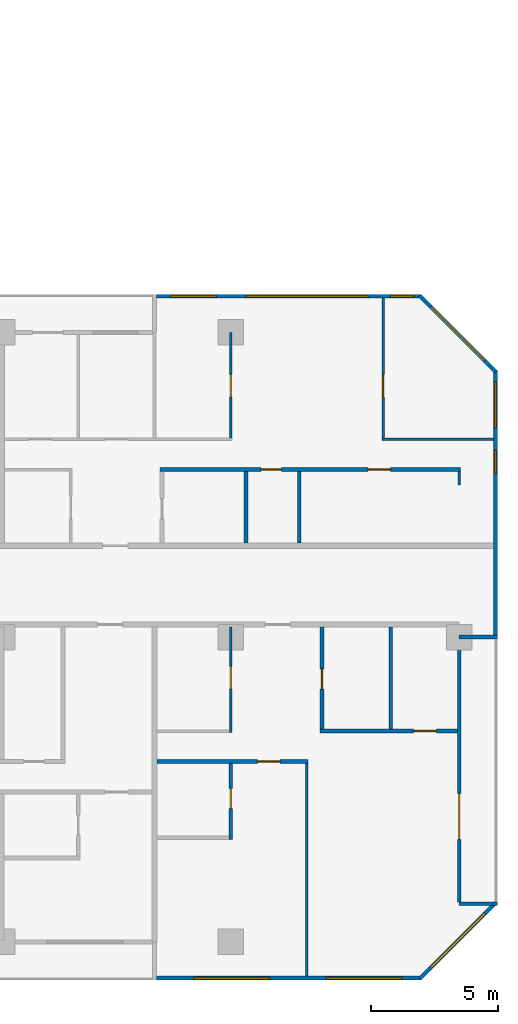
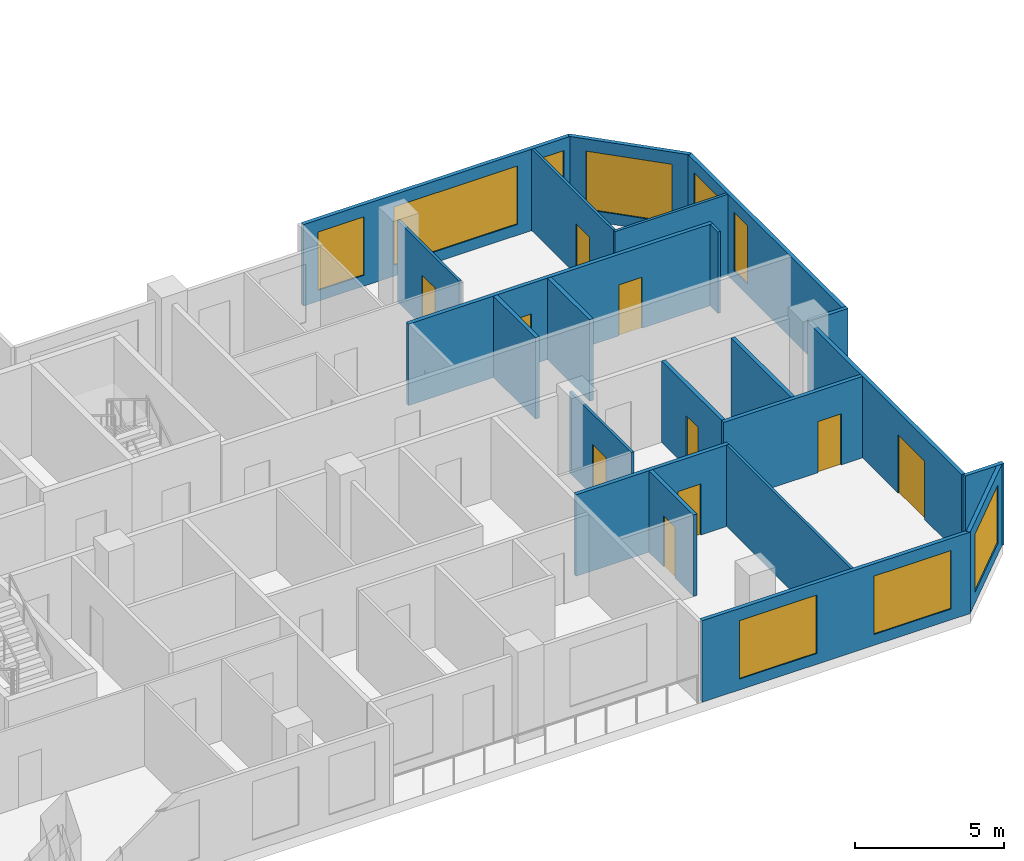
# One storey, part 11 of 14: 22 walls, 10 doors, 9 windows, 19 openings.
"""IFC4 building model written with IfcOpenShell, lengths in metres."""

from ifc_helpers import new_model, si_unit, direction, frame, frame_2d, origin, place, context, subcontext, project, spatial, rectangle, extrude, material, layer, layer_set, type_object, element, fill, save


model = new_model("IFC4")

# Units and contexts
model_context = context("Model", 3, precision=1e-05, world=origin(), true_north=direction((0.0, 1.0)))
body_context = subcontext(model_context, "Body", "Model", "MODEL_VIEW")
ifc_project = project(units=[si_unit("LENGTHUNIT", "METRE"), si_unit("AREAUNIT", "SQUARE_METRE"), si_unit("VOLUMEUNIT", "CUBIC_METRE"), si_unit("PLANEANGLEUNIT", "RADIAN"), si_unit("MASSUNIT", "GRAM", prefix="KILO")], contexts=[model_context])

# Site, building, storey
site_placement = place(None, origin())
site = spatial("IfcSite", under=ifc_project, at=site_placement, CompositionType="ELEMENT")
building_placement = place(site_placement, origin())
building = spatial("IfcBuilding", under=site, at=building_placement, Name="Chenar Terraces", CompositionType="ELEMENT")
storey_placement = place(building_placement, frame((0.0, 0.0, 110.64990234375)))
storey = spatial("IfcBuildingStorey", under=building, at=storey_placement, Name="L25", CompositionType="ELEMENT", Elevation=110.64990234375)

# Wall, openings, windows
ifc_material_1 = material(Name="Aluminium framed glazing", Category="aluminium")
ifc_layer_1 = layer(ifc_material_1, 0.14990234375)
ifc_layer_set_1 = layer_set([ifc_layer_1], Name="Aluminium framed glazing")
wall_type_1 = type_object("IfcWallType", Name="Glazed flush facade wall 150", PredefinedType="SOLIDWALL", material=ifc_layer_set_1)
wall_1_placement = place(storey_placement, frame((70.5, 25.425048828125, 0.0), z_axis=(0.0, 0.0, 1.0), x_axis=(-1.0, 0.0, 0.0)))
wall_1 = element("IfcWall", 1, at=wall_1_placement, inside=storey, type_object=wall_type_1, Name="Glazed flush facade wall", PredefinedType="SOLIDWALL", context=body_context, shape_type="SweptSolid", body=[
    extrude(rectangle(XDim=10.425048828125, YDim=0.14990234375, at=frame_2d((5.21240234375, 0.0))), origin(), (0.0, 0.0, 1.0), 3.35009765625),
])
opening_1_placement = place(wall_1_placement, frame((0.300048828125, 0.0, 0.449951171875)))
opening_1 = element("IfcOpeningElement", 2, at=opening_1_placement, cuts=wall_1, Name="Opening W90x240", PredefinedType="OPENING", context=body_context, shape_type="SweptSolid", body=[
    extrude(rectangle(XDim=0.89990234375, YDim=2.39990234375, at=frame_2d((0.449951171875, 1.199951171875))), frame((0.0, 0.0849609375, 0.0), z_axis=(0.0, -1.0, 0.0), x_axis=(1.0, 0.0, 0.0)), (0.0, 0.0, 1.0), 0.169921875),
])
opening_2_placement = place(wall_1_placement, frame((2.10009765625, 0.0, 0.449951171875)))
opening_2 = element("IfcOpeningElement", 3, at=opening_2_placement, cuts=wall_1, Name="Opening W480x240", PredefinedType="OPENING", context=body_context, shape_type="SweptSolid", body=[
    extrude(rectangle(XDim=4.800048828125, YDim=2.39990234375, at=frame_2d((2.39990234375, 1.199951171875))), frame((0.0, 0.0849609375, 0.0), z_axis=(0.0, -1.0, 0.0), x_axis=(1.0, 0.0, 0.0)), (0.0, 0.0, 1.0), 0.169921875),
])
opening_3_placement = place(wall_1_placement, frame((8.0625, 0.0, 0.449951171875)))
opening_3 = element("IfcOpeningElement", 4, at=opening_3_placement, cuts=wall_1, Name="Opening W180x240", PredefinedType="OPENING", context=body_context, shape_type="SweptSolid", body=[
    extrude(rectangle(XDim=1.800048828125, YDim=2.39990234375, at=frame_2d((0.89990234375, 1.199951171875))), frame((0.0, 0.0849609375, 0.0), z_axis=(0.0, -1.0, 0.0), x_axis=(1.0, 0.0, 0.0)), (0.0, 0.0, 1.0), 0.169921875),
])
ifc_material_2 = material(Name="Low emissivity double glazing, aluminium frame", Category="aluminium")
window_type_1 = type_object("IfcWindowType", Name="Fixed light 1800 x 2400", PartitioningType="SINGLE_PANEL", PredefinedType="WINDOW", material=ifc_material_2)
window_1_placement = place(opening_3_placement, origin())
window_1 = element("IfcWindow", 5, at=window_1_placement, inside=storey, type_object=window_type_1, Name="Window", OverallHeight=2.39990234375, OverallWidth=1.800048828125, PartitioningType="SINGLE_PANEL", PredefinedType="WINDOW", context=body_context, shape_type="SweptSolid", body=[
    extrude(rectangle(XDim=1.800048828125, YDim=2.39990234375, at=frame_2d((0.89990234375, 1.199951171875))), frame((0.0, 0.030029296875, 0.0), z_axis=(0.0, -1.0, 0.0), x_axis=(1.0, 0.0, 0.0)), (0.0, 0.0, 1.0), 0.06005859375),
])
fill(opening_3, window_1)
ifc_material_3 = material(Name="Low emissivity double glazing, aluminium frame", Category="aluminium")
window_type_2 = type_object("IfcWindowType", Name="Fixed light 4800 x 2400", PartitioningType="SINGLE_PANEL", PredefinedType="WINDOW", material=ifc_material_3)
window_2_placement = place(opening_2_placement, origin())
window_2 = element("IfcWindow", 6, at=window_2_placement, inside=storey, type_object=window_type_2, Name="Window", OverallHeight=2.39990234375, OverallWidth=4.800048828125, PartitioningType="SINGLE_PANEL", PredefinedType="WINDOW", context=body_context, shape_type="SweptSolid", body=[
    extrude(rectangle(XDim=4.800048828125, YDim=2.39990234375, at=frame_2d((2.39990234375, 1.199951171875))), frame((0.0, 0.030029296875, 0.0), z_axis=(0.0, -1.0, 0.0), x_axis=(1.0, 0.0, 0.0)), (0.0, 0.0, 1.0), 0.06005859375),
])
fill(opening_2, window_2)
ifc_material_4 = material(Name="Low emissivity double glazing, aluminium frame", Category="aluminium")
window_type_3 = type_object("IfcWindowType", Name="Fixed light 900 x 2400", PartitioningType="SINGLE_PANEL", PredefinedType="WINDOW", material=ifc_material_4)
window_3_placement = place(opening_1_placement, origin())
window_3 = element("IfcWindow", 7, at=window_3_placement, inside=storey, type_object=window_type_3, Name="Window", OverallHeight=2.39990234375, OverallWidth=0.89990234375, PartitioningType="SINGLE_PANEL", PredefinedType="WINDOW", context=body_context, shape_type="SweptSolid", body=[
    extrude(rectangle(XDim=0.89990234375, YDim=2.39990234375, at=frame_2d((0.449951171875, 1.199951171875))), frame((0.0, 0.030029296875, 0.0), z_axis=(0.0, -1.0, 0.0), x_axis=(1.0, 0.0, 0.0)), (0.0, 0.0, 1.0), 0.06005859375),
])
fill(opening_1, window_3)

wall_2_placement = place(storey_placement, frame((60.074951171875, -1.425048828125, 0.0), z_axis=(0.0, 0.0, 1.0), x_axis=(1.0, 0.0, 0.0)))
wall_2 = element("IfcWall", 8, at=wall_2_placement, inside=storey, type_object=wall_type_1, Name="Glazed flush facade wall", PredefinedType="SOLIDWALL", context=body_context, shape_type="SweptSolid", body=[
    extrude(rectangle(XDim=10.425048828125, YDim=0.14990234375, at=frame_2d((5.21240234375, 0.0))), origin(), (0.0, 0.0, 1.0), 3.35009765625),
])
opening_4_placement = place(wall_2_placement, frame((1.46240234375, 0.0, 0.449951171875)))
opening_4 = element("IfcOpeningElement", 9, at=opening_4_placement, cuts=wall_2, Name="Opening W300x240", PredefinedType="OPENING", context=body_context, shape_type="SweptSolid", body=[
    extrude(rectangle(XDim=3.0, YDim=2.39990234375, at=frame_2d((1.5, 1.199951171875))), frame((0.0, 0.0849609375, 0.0), z_axis=(0.0, -1.0, 0.0), x_axis=(1.0, 0.0, 0.0)), (0.0, 0.0, 1.0), 0.169921875),
])
opening_5_placement = place(wall_2_placement, frame((6.675048828125, 0.0, 0.449951171875)))
opening_5 = element("IfcOpeningElement", 10, at=opening_5_placement, cuts=wall_2, Name="Opening W300x240", PredefinedType="OPENING", context=body_context, shape_type="SweptSolid", body=[
    extrude(rectangle(XDim=3.0, YDim=2.39990234375, at=frame_2d((1.5, 1.199951171875))), frame((0.0, 0.0849609375, 0.0), z_axis=(0.0, -1.0, 0.0), x_axis=(1.0, 0.0, 0.0)), (0.0, 0.0, 1.0), 0.169921875),
])
ifc_material_5 = material(Name="Low emissivity double glazing, aluminium frame", Category="aluminium")
window_type_4 = type_object("IfcWindowType", Name="Fixed light 3000 x 2400", PartitioningType="SINGLE_PANEL", PredefinedType="WINDOW", material=ifc_material_5)
window_4_placement = place(opening_4_placement, origin())
window_4 = element("IfcWindow", 11, at=window_4_placement, inside=storey, type_object=window_type_4, Name="Window", OverallHeight=2.39990234375, OverallWidth=3.0, PartitioningType="SINGLE_PANEL", PredefinedType="WINDOW", context=body_context, shape_type="SweptSolid", body=[
    extrude(rectangle(XDim=3.0, YDim=2.39990234375, at=frame_2d((1.5, 1.199951171875))), frame((0.0, 0.030029296875, 0.0), z_axis=(0.0, -1.0, 0.0), x_axis=(1.0, 0.0, 0.0)), (0.0, 0.0, 1.0), 0.06005859375),
])
fill(opening_4, window_4)
window_5_placement = place(opening_5_placement, origin())
window_5 = element("IfcWindow", 12, at=window_5_placement, inside=storey, type_object=window_type_4, Name="Window", OverallHeight=2.39990234375, OverallWidth=3.0, PartitioningType="SINGLE_PANEL", PredefinedType="WINDOW", context=body_context, shape_type="SweptSolid", body=[
    extrude(rectangle(XDim=3.0, YDim=2.39990234375, at=frame_2d((1.5, 1.199951171875))), frame((0.0, 0.030029296875, 0.0), z_axis=(0.0, -1.0, 0.0), x_axis=(1.0, 0.0, 0.0)), (0.0, 0.0, 1.0), 0.06005859375),
])
fill(opening_5, window_5)

wall_3_placement = place(storey_placement, frame((73.425048828125, 12.074951171875, 0.0), z_axis=(0.0, 0.0, 1.0), x_axis=(0.0, 1.0, 0.0)))
wall_3 = element("IfcWall", 13, at=wall_3_placement, inside=storey, type_object=wall_type_1, Name="Glazed flush facade wall", PredefinedType="SOLIDWALL", context=body_context, shape_type="SweptSolid", body=[
    extrude(rectangle(XDim=10.425048828125, YDim=0.14990234375, at=frame_2d((5.21240234375, 0.0))), origin(), (0.0, 0.0, 1.0), 3.35009765625),
])
opening_6_placement = place(wall_3_placement, frame((6.375, 0.0, 0.449951171875)))
opening_6 = element("IfcOpeningElement", 14, at=opening_6_placement, cuts=wall_3, Name="Opening W90x240", PredefinedType="OPENING", context=body_context, shape_type="SweptSolid", body=[
    extrude(rectangle(XDim=0.89990234375, YDim=2.39990234375, at=frame_2d((0.449951171875, 1.199951171875))), frame((0.0, 0.0849609375, 0.0), z_axis=(0.0, -1.0, 0.0), x_axis=(1.0, 0.0, 0.0)), (0.0, 0.0, 1.0), 0.169921875),
])
opening_7_placement = place(wall_3_placement, frame((8.175048828125, 0.0, 0.449951171875)))
opening_7 = element("IfcOpeningElement", 15, at=opening_7_placement, cuts=wall_3, Name="Opening W180x240", PredefinedType="OPENING", context=body_context, shape_type="SweptSolid", body=[
    extrude(rectangle(XDim=1.800048828125, YDim=2.39990234375, at=frame_2d((0.89990234375, 1.199951171875))), frame((0.0, 0.0849609375, 0.0), z_axis=(0.0, -1.0, 0.0), x_axis=(1.0, 0.0, 0.0)), (0.0, 0.0, 1.0), 0.169921875),
])
window_6_placement = place(opening_7_placement, origin())
window_6 = element("IfcWindow", 16, at=window_6_placement, inside=storey, type_object=window_type_1, Name="Window", OverallHeight=2.39990234375, OverallWidth=1.800048828125, PartitioningType="SINGLE_PANEL", PredefinedType="WINDOW", context=body_context, shape_type="SweptSolid", body=[
    extrude(rectangle(XDim=1.800048828125, YDim=2.39990234375, at=frame_2d((0.89990234375, 1.199951171875))), frame((0.0, 0.030029296875, 0.0), z_axis=(0.0, -1.0, 0.0), x_axis=(1.0, 0.0, 0.0)), (0.0, 0.0, 1.0), 0.06005859375),
])
fill(opening_7, window_6)
window_7_placement = place(opening_6_placement, origin())
window_7 = element("IfcWindow", 17, at=window_7_placement, inside=storey, type_object=window_type_3, Name="Window", OverallHeight=2.39990234375, OverallWidth=0.89990234375, PartitioningType="SINGLE_PANEL", PredefinedType="WINDOW", context=body_context, shape_type="SweptSolid", body=[
    extrude(rectangle(XDim=0.89990234375, YDim=2.39990234375, at=frame_2d((0.449951171875, 1.199951171875))), frame((0.0, 0.030029296875, 0.0), z_axis=(0.0, -1.0, 0.0), x_axis=(1.0, 0.0, 0.0)), (0.0, 0.0, 1.0), 0.06005859375),
])
fill(opening_6, window_7)

# Wall, opening, door
ifc_material_6 = material(Name="Aluminium framed glazing", Category="aluminium")
ifc_layer_2 = layer(ifc_material_6, 0.14990234375)
ifc_layer_set_2 = layer_set([ifc_layer_2], Name="Aluminium framed glazing")
wall_type_2 = type_object("IfcWallType", Name="Glazed loggia back wall 150", PredefinedType="SOLIDWALL", material=ifc_layer_set_2)
wall_4_placement = place(storey_placement, frame((72.0, 1.574951171875, 0.0), z_axis=(0.0, 0.0, 1.0), x_axis=(0.0, 1.0, 0.0)))
wall_4 = element("IfcWall", 18, at=wall_4_placement, inside=storey, type_object=wall_type_2, Name="Glazed loggia back wall", PredefinedType="SOLIDWALL", context=body_context, shape_type="SweptSolid", body=[
    extrude(rectangle(XDim=10.35009765625, YDim=0.14990234375, at=frame_2d((5.175048828125, 0.0))), origin(), (0.0, 0.0, 1.0), 3.35009765625),
])
opening_8_placement = place(wall_4_placement, frame((2.46240234375, 0.0, 0.0)))
opening_8 = element("IfcOpeningElement", 19, at=opening_8_placement, cuts=wall_4, Name="Opening DL25-G8", PredefinedType="OPENING", context=body_context, shape_type="SweptSolid", body=[
    extrude(rectangle(XDim=1.800048828125, YDim=2.39990234375, at=frame_2d((0.89990234375, 1.199951171875))), frame((0.0, 0.0849609375, 0.0), z_axis=(0.0, -1.0, 0.0), x_axis=(1.0, 0.0, 0.0)), (0.0, 0.0, 1.0), 0.169921875),
])
ifc_material_7 = material(Name="Low emissivity double glazing, aluminium frame", Category="aluminium")
door_type_1 = type_object("IfcDoorType", Name="Loggia glazed double door 1800 x 2400", OperationType="DOUBLE_DOOR_SINGLE_SWING", PredefinedType="DOOR", material=ifc_material_7)
door_1_placement = place(opening_8_placement, frame((1.800048828125, 0.0, 0.0), z_axis=(0.0, 0.0, 1.0), x_axis=(-1.0, 0.0, 0.0)))
door_1 = element("IfcDoor", 20, at=door_1_placement, inside=storey, type_object=door_type_1, Name="Loggia glazed door", OperationType="DOUBLE_DOOR_SINGLE_SWING", OverallHeight=2.39990234375, OverallWidth=1.800048828125, PredefinedType="DOOR", context=body_context, shape_type="SweptSolid", body=[
    extrude(rectangle(XDim=1.800048828125, YDim=2.39990234375, at=frame_2d((0.89990234375, 1.199951171875))), frame((0.0, 0.02490234375, 0.0), z_axis=(0.0, -1.0, 0.0), x_axis=(1.0, 0.0, 0.0)), (0.0, 0.0, 1.0), 0.050048828125),
])
fill(opening_8, door_1)

ifc_material_8 = material(Name="Gypsum board on steel studs", Category="steel")
ifc_layer_3 = layer(ifc_material_8, 0.10009765625)
ifc_layer_set_3 = layer_set([ifc_layer_3], Name="Gypsum board on steel studs")
wall_type_3 = type_object("IfcWallType", Name="Gypsum partition 100", PredefinedType="PARTITIONING", material=ifc_layer_set_3)
wall_5_placement = place(storey_placement, frame((63.0, 8.25, 0.0), z_axis=(0.0, 0.0, 1.0), x_axis=(0.0, 1.0, 0.0)))
wall_5 = element("IfcWall", 21, at=wall_5_placement, inside=storey, type_object=wall_type_3, Name="Partition L25-095", PredefinedType="PARTITIONING", context=body_context, shape_type="SweptSolid", body=[
    extrude(rectangle(XDim=4.14990234375, YDim=0.10009765625, at=frame_2d((2.074951171875, 0.0))), origin(), (0.0, 0.0, 1.0), 3.35009765625),
])
opening_9_placement = place(wall_5_placement, frame((1.699951171875, 0.0, 0.0)))
opening_9 = element("IfcOpeningElement", 22, at=opening_9_placement, cuts=wall_5, Name="Opening DL25-23", PredefinedType="OPENING", context=body_context, shape_type="SweptSolid", body=[
    extrude(rectangle(XDim=0.89990234375, YDim=2.10009765625, at=frame_2d((0.449951171875, 1.050048828125))), frame((0.0, 0.06005859375, 0.0), z_axis=(0.0, -1.0, 0.0), x_axis=(1.0, 0.0, 0.0)), (0.0, 0.0, 1.0), 0.1201171875),
])
ifc_material_9 = material(Name="Veneered timber door leaf", Category="wood")
door_type_2 = type_object("IfcDoorType", Name="Door 900 x 2100", OperationType="SINGLE_SWING_LEFT", PredefinedType="DOOR", material=ifc_material_9)
door_2_placement = place(opening_9_placement, origin())
door_2 = element("IfcDoor", 23, at=door_2_placement, inside=storey, type_object=door_type_2, Name="Door DL25-23", OperationType="SINGLE_SWING_RIGHT", OverallHeight=2.10009765625, OverallWidth=0.89990234375, PredefinedType="DOOR", context=body_context, shape_type="SweptSolid", body=[
    extrude(rectangle(XDim=0.89990234375, YDim=2.10009765625, at=frame_2d((0.449951171875, 1.050048828125))), frame((0.0, 0.02490234375, 0.0), z_axis=(0.0, -1.0, 0.0), x_axis=(1.0, 0.0, 0.0)), (0.0, 0.0, 1.0), 0.050048828125),
])
fill(opening_9, door_2)

wall_6_placement = place(storey_placement, frame((63.0, 19.85009765625, 0.0), z_axis=(0.0, 0.0, 1.0), x_axis=(0.0, 1.0, 0.0)))
wall_6 = element("IfcWall", 24, at=wall_6_placement, inside=storey, type_object=wall_type_3, Name="Partition L25-096", PredefinedType="PARTITIONING", context=body_context, shape_type="SweptSolid", body=[
    extrude(rectangle(XDim=4.14990234375, YDim=0.10009765625, at=frame_2d((2.074951171875, 0.0))), origin(), (0.0, 0.0, 1.0), 3.35009765625),
])
opening_10_placement = place(wall_6_placement, frame((1.60009765625, 0.0, 0.0)))
opening_10 = element("IfcOpeningElement", 25, at=opening_10_placement, cuts=wall_6, Name="Opening DL25-7", PredefinedType="OPENING", context=body_context, shape_type="SweptSolid", body=[
    extrude(rectangle(XDim=0.89990234375, YDim=2.10009765625, at=frame_2d((0.449951171875, 1.050048828125))), frame((0.0, 0.06005859375, 0.0), z_axis=(0.0, -1.0, 0.0), x_axis=(1.0, 0.0, 0.0)), (0.0, 0.0, 1.0), 0.1201171875),
])
door_3_placement = place(opening_10_placement, origin())
door_3 = element("IfcDoor", 26, at=door_3_placement, inside=storey, type_object=door_type_2, Name="Door DL25-7", OperationType="SINGLE_SWING_RIGHT", OverallHeight=2.10009765625, OverallWidth=0.89990234375, PredefinedType="DOOR", context=body_context, shape_type="SweptSolid", body=[
    extrude(rectangle(XDim=0.89990234375, YDim=2.10009765625, at=frame_2d((0.449951171875, 1.050048828125))), frame((0.0, 0.02490234375, 0.0), z_axis=(0.0, -1.0, 0.0), x_axis=(1.0, 0.0, 0.0)), (0.0, 0.0, 1.0), 0.050048828125),
])
fill(opening_10, door_3)

# Walls
wall_7_placement = place(storey_placement, frame((66.0, -1.35009765625, 0.0), z_axis=(0.0, 0.0, 1.0), x_axis=(0.0, 1.0, 0.0)))
element("IfcWall", 27, at=wall_7_placement, inside=storey, type_object=wall_type_3, Name="Partition L25-099", PredefinedType="PARTITIONING", context=body_context, shape_type="SweptSolid", body=[
    extrude(rectangle(XDim=8.375, YDim=0.10009765625, at=frame_2d((4.1875, 0.0))), origin(), (0.0, 0.0, 1.0), 3.35009765625),
])
wall_8_placement = place(storey_placement, frame((68.949951171875, 19.800048828125, 0.0), z_axis=(0.0, 0.0, 1.0), x_axis=(1.0, 0.0, 0.0)))
element("IfcWall", 28, at=wall_8_placement, inside=storey, type_object=wall_type_3, Name="Partition L25-102", PredefinedType="PARTITIONING", context=body_context, shape_type="SweptSolid", body=[
    extrude(rectangle(XDim=4.401123046875, YDim=0.10009765625, at=frame_2d((2.20068359375, 0.0))), origin(), (0.0, 0.0, 1.0), 3.35009765625),
])

# Wall, opening, door
wall_9_placement = place(storey_placement, frame((69.0, 19.85009765625, 0.0), z_axis=(0.0, 0.0, 1.0), x_axis=(0.0, 1.0, 0.0)))
wall_9 = element("IfcWall", 29, at=wall_9_placement, inside=storey, type_object=wall_type_3, Name="Partition L25-103", PredefinedType="PARTITIONING", context=body_context, shape_type="SweptSolid", body=[
    extrude(rectangle(XDim=5.5, YDim=0.10009765625, at=frame_2d((2.75, 0.0))), origin(), (0.0, 0.0, 1.0), 3.35009765625),
])
opening_11_placement = place(wall_9_placement, frame((1.60009765625, 0.0, 0.0)))
opening_11 = element("IfcOpeningElement", 30, at=opening_11_placement, cuts=wall_9, Name="Opening DL25-8", PredefinedType="OPENING", context=body_context, shape_type="SweptSolid", body=[
    extrude(rectangle(XDim=0.89990234375, YDim=2.10009765625, at=frame_2d((0.449951171875, 1.050048828125))), frame((0.0, 0.06005859375, 0.0), z_axis=(0.0, -1.0, 0.0), x_axis=(1.0, 0.0, 0.0)), (0.0, 0.0, 1.0), 0.1201171875),
])
door_4_placement = place(opening_11_placement, frame((0.89990234375, 0.0, 0.0), z_axis=(0.0, 0.0, 1.0), x_axis=(-1.0, 0.0, 0.0)))
door_4 = element("IfcDoor", 31, at=door_4_placement, inside=storey, type_object=door_type_2, Name="Door DL25-8", OperationType="SINGLE_SWING_LEFT", OverallHeight=2.10009765625, OverallWidth=0.89990234375, PredefinedType="DOOR", context=body_context, shape_type="SweptSolid", body=[
    extrude(rectangle(XDim=0.89990234375, YDim=2.10009765625, at=frame_2d((0.449951171875, 1.050048828125))), frame((0.0, 0.02490234375, 0.0), z_axis=(0.0, -1.0, 0.0), x_axis=(1.0, 0.0, 0.0)), (0.0, 0.0, 1.0), 0.050048828125),
])
fill(opening_11, door_4)

# Walls
wall_10_placement = place(storey_placement, frame((72.0, 18.0, 0.0), z_axis=(0.0, 0.0, 1.0), x_axis=(0.0, 1.0, 0.0)))
element("IfcWall", 32, at=wall_10_placement, inside=storey, type_object=wall_type_3, Name="Partition L25-105", PredefinedType="PARTITIONING", context=body_context, shape_type="SweptSolid", body=[
    extrude(rectangle(XDim=0.52490234375, YDim=0.10009765625, at=frame_2d((0.262451171875, 0.0))), origin(), (0.0, 0.0, 1.0), 3.35009765625),
])
ifc_material_10 = material(Name="Terracotta cladding on insulated backing", Category="masonry")
ifc_layer_4 = layer(ifc_material_10, 0.14990234375)
ifc_layer_set_4 = layer_set([ifc_layer_4], Name="Terracotta cladding on insulated backing")
wall_type_4 = type_object("IfcWallType", Name="Loggia return wall 150", PredefinedType="SOLIDWALL", material=ifc_layer_set_4)
for number, where, z_axis, x_axis, name in (
    (33, (73.5, 1.5, 0.0), (0.0, 0.0, 1.0), (-1.0, 0.0, 0.0), "Loggia return wall"),
    (34, (73.5, 12.0, 0.0), (0.0, 0.0, 1.0), (-1.0, 0.0, 0.0), "Loggia return wall"),
):
    element("IfcWall", number, at=place(storey_placement, frame(where, z_axis=z_axis, x_axis=x_axis)), inside=storey, type_object=wall_type_4, Name=name, PredefinedType="SOLIDWALL", context=body_context, shape_type="SweptSolid", body=[
        extrude(rectangle(XDim=1.5, YDim=0.14990234375, at=frame_2d((0.75, 0.0))), origin(), (0.0, 0.0, 1.0), 3.35009765625),
    ])

# Wall, opening, window
ifc_material_11 = material(Name="Terracotta cladding on insulated backing", Category="masonry")
ifc_layer_5 = layer(ifc_material_11, 0.14990234375)
ifc_layer_set_5 = layer_set([ifc_layer_5], Name="Terracotta cladding on insulated backing")
wall_type_5 = type_object("IfcWallType", Name="Terracotta rainscreen wall 150", PredefinedType="SOLIDWALL", material=ifc_layer_set_5)
wall_11_placement = place(storey_placement, frame((70.447021484375, -1.447021484375, 0.0), z_axis=(0.0, 0.0, 1.0), x_axis=(0.707106781187, 0.707106781187, 0.0)))
wall_11 = element("IfcWall", 35, at=wall_11_placement, inside=storey, type_object=wall_type_5, Name="Terracotta rainscreen wall", PredefinedType="SOLIDWALL", context=body_context, shape_type="SweptSolid", body=[
    extrude(rectangle(XDim=4.24267578125, YDim=0.14990234375, at=frame_2d((2.121337890625, 0.0))), origin(), (0.0, 0.0, 1.0), 3.35009765625),
])
opening_12_placement = place(wall_11_placement, frame((0.621337890625, 0.0, 0.449951171875)))
opening_12 = element("IfcOpeningElement", 36, at=opening_12_placement, cuts=wall_11, Name="Opening W300x240", PredefinedType="OPENING", context=body_context, shape_type="SweptSolid", body=[
    extrude(rectangle(XDim=3.0, YDim=2.39990234375, at=frame_2d((1.5, 1.199951171875))), frame((0.0, 0.0849609375, 0.0), z_axis=(0.0, -1.0, 0.0), x_axis=(1.0, 0.0, 0.0)), (0.0, 0.0, 1.0), 0.169921875),
])
window_8_placement = place(opening_12_placement, origin())
window_8 = element("IfcWindow", 37, at=window_8_placement, inside=storey, type_object=window_type_4, Name="Window", OverallHeight=2.39990234375, OverallWidth=3.0, PartitioningType="SINGLE_PANEL", PredefinedType="WINDOW", context=body_context, shape_type="SweptSolid", body=[
    extrude(rectangle(XDim=3.0, YDim=2.39990234375, at=frame_2d((1.5, 1.199951171875))), frame((0.0, 0.030029296875, 0.0), z_axis=(0.0, -1.0, 0.0), x_axis=(1.0, 0.0, 0.0)), (0.0, 0.0, 1.0), 0.06005859375),
])
fill(opening_12, window_8)

wall_12_placement = place(storey_placement, frame((73.447021484375, 22.447021484375, 0.0), z_axis=(0.0, 0.0, 1.0), x_axis=(-0.707106781187, 0.707106781187, 0.0)))
wall_12 = element("IfcWall", 38, at=wall_12_placement, inside=storey, type_object=wall_type_5, Name="Terracotta rainscreen wall", PredefinedType="SOLIDWALL", context=body_context, shape_type="SweptSolid", body=[
    extrude(rectangle(XDim=4.24267578125, YDim=0.14990234375, at=frame_2d((2.121337890625, 0.0))), origin(), (0.0, 0.0, 1.0), 3.35009765625),
])
opening_13_placement = place(wall_12_placement, frame((0.621337890625, 0.0, 0.449951171875)))
opening_13 = element("IfcOpeningElement", 39, at=opening_13_placement, cuts=wall_12, Name="Opening W300x240", PredefinedType="OPENING", context=body_context, shape_type="SweptSolid", body=[
    extrude(rectangle(XDim=3.0, YDim=2.39990234375, at=frame_2d((1.5, 1.199951171875))), frame((0.0, 0.0849609375, 0.0), z_axis=(0.0, -1.0, 0.0), x_axis=(1.0, 0.0, 0.0)), (0.0, 0.0, 1.0), 0.169921875),
])
window_9_placement = place(opening_13_placement, origin())
window_9 = element("IfcWindow", 40, at=window_9_placement, inside=storey, type_object=window_type_4, Name="Window", OverallHeight=2.39990234375, OverallWidth=3.0, PartitioningType="SINGLE_PANEL", PredefinedType="WINDOW", context=body_context, shape_type="SweptSolid", body=[
    extrude(rectangle(XDim=3.0, YDim=2.39990234375, at=frame_2d((1.5, 1.199951171875))), frame((0.0, 0.030029296875, 0.0), z_axis=(0.0, -1.0, 0.0), x_axis=(1.0, 0.0, 0.0)), (0.0, 0.0, 1.0), 0.06005859375),
])
fill(opening_13, window_9)

# Wall, opening, door
ifc_material_12 = material(Name="Moisture-resistant gypsum board on steel studs", Category="steel")
ifc_layer_6 = layer(ifc_material_12, 0.14990234375)
ifc_layer_set_6 = layer_set([ifc_layer_6], Name="Moisture-resistant gypsum board on steel studs")
wall_type_6 = type_object("IfcWallType", Name="Wet-room partition 150", PredefinedType="PARTITIONING", material=ifc_layer_set_6)
wall_13_placement = place(storey_placement, frame((60.10009765625, 7.10009765625, 0.0), z_axis=(0.0, 0.0, 1.0), x_axis=(1.0, 0.0, 0.0)))
wall_13 = element("IfcWall", 41, at=wall_13_placement, inside=storey, type_object=wall_type_6, Name="Partition L25-090", PredefinedType="PARTITIONING", context=body_context, shape_type="SweptSolid", body=[
    extrude(rectangle(XDim=5.949951171875, YDim=0.14990234375, at=frame_2d((2.97509765625, 0.0))), origin(), (0.0, 0.0, 1.0), 3.35009765625),
])
opening_14_placement = place(wall_13_placement, frame((3.949951171875, 0.0, 0.0)))
opening_14 = element("IfcOpeningElement", 42, at=opening_14_placement, cuts=wall_13, Name="Opening DL25-21", PredefinedType="OPENING", context=body_context, shape_type="SweptSolid", body=[
    extrude(rectangle(XDim=0.89990234375, YDim=2.10009765625, at=frame_2d((0.449951171875, 1.050048828125))), frame((0.0, 0.0849609375, 0.0), z_axis=(0.0, -1.0, 0.0), x_axis=(1.0, 0.0, 0.0)), (0.0, 0.0, 1.0), 0.169921875),
])
door_5_placement = place(opening_14_placement, frame((0.89990234375, 0.0, 0.0), z_axis=(0.0, 0.0, 1.0), x_axis=(-1.0, 0.0, 0.0)))
door_5 = element("IfcDoor", 43, at=door_5_placement, inside=storey, type_object=door_type_2, Name="Door DL25-21", OperationType="SINGLE_SWING_LEFT", OverallHeight=2.10009765625, OverallWidth=0.89990234375, PredefinedType="DOOR", context=body_context, shape_type="SweptSolid", body=[
    extrude(rectangle(XDim=0.89990234375, YDim=2.10009765625, at=frame_2d((0.449951171875, 1.050048828125))), frame((0.0, 0.02490234375, 0.0), z_axis=(0.0, -1.0, 0.0), x_axis=(1.0, 0.0, 0.0)), (0.0, 0.0, 1.0), 0.050048828125),
])
fill(opening_14, door_5)

# Wall, openings, doors
wall_14_placement = place(storey_placement, frame((60.22509765625, 18.60009765625, 0.0), z_axis=(0.0, 0.0, 1.0), x_axis=(1.0, 0.0, 0.0)))
wall_14 = element("IfcWall", 44, at=wall_14_placement, inside=storey, type_object=wall_type_6, Name="Partition L25-092", PredefinedType="PARTITIONING", context=body_context, shape_type="SweptSolid", body=[
    extrude(rectangle(XDim=11.824951171875, YDim=0.14990234375, at=frame_2d((5.91259765625, 0.0))), origin(), (0.0, 0.0, 1.0), 3.35009765625),
])
opening_15_placement = place(wall_14_placement, frame((8.175048828125, 0.0, 0.0)))
opening_15 = element("IfcOpeningElement", 45, at=opening_15_placement, cuts=wall_14, Name="Opening DL25-9", PredefinedType="OPENING", context=body_context, shape_type="SweptSolid", body=[
    extrude(rectangle(XDim=0.89990234375, YDim=2.10009765625, at=frame_2d((0.449951171875, 1.050048828125))), frame((0.0, 0.0849609375, 0.0), z_axis=(0.0, -1.0, 0.0), x_axis=(1.0, 0.0, 0.0)), (0.0, 0.0, 1.0), 0.169921875),
])
opening_16_placement = place(wall_14_placement, frame((3.97509765625, 0.0, 0.0)))
opening_16 = element("IfcOpeningElement", 46, at=opening_16_placement, cuts=wall_14, Name="Opening DL25-12", PredefinedType="OPENING", context=body_context, shape_type="SweptSolid", body=[
    extrude(rectangle(XDim=0.800048828125, YDim=2.10009765625, at=frame_2d((0.39990234375, 1.050048828125))), frame((0.0, 0.0849609375, 0.0), z_axis=(0.0, -1.0, 0.0), x_axis=(1.0, 0.0, 0.0)), (0.0, 0.0, 1.0), 0.169921875),
])
ifc_material_13 = material(Name="Veneered timber door leaf", Category="wood")
door_type_3 = type_object("IfcDoorType", Name="Door 800 x 2100", OperationType="SINGLE_SWING_LEFT", PredefinedType="DOOR", material=ifc_material_13)
door_6_placement = place(opening_16_placement, frame((0.800048828125, 0.0, 0.0), z_axis=(0.0, 0.0, 1.0), x_axis=(-1.0, 0.0, 0.0)))
door_6 = element("IfcDoor", 47, at=door_6_placement, inside=storey, type_object=door_type_3, Name="Door DL25-12", OperationType="SINGLE_SWING_RIGHT", OverallHeight=2.10009765625, OverallWidth=0.800048828125, PredefinedType="DOOR", context=body_context, shape_type="SweptSolid", body=[
    extrude(rectangle(XDim=0.800048828125, YDim=2.10009765625, at=frame_2d((0.39990234375, 1.050048828125))), frame((0.0, 0.02490234375, 0.0), z_axis=(0.0, -1.0, 0.0), x_axis=(1.0, 0.0, 0.0)), (0.0, 0.0, 1.0), 0.050048828125),
])
fill(opening_16, door_6)
door_7_placement = place(opening_15_placement, frame((0.89990234375, 0.0, 0.0), z_axis=(0.0, 0.0, 1.0), x_axis=(-1.0, 0.0, 0.0)))
door_7 = element("IfcDoor", 48, at=door_7_placement, inside=storey, type_object=door_type_2, Name="Door DL25-9", OperationType="SINGLE_SWING_LEFT", OverallHeight=2.10009765625, OverallWidth=0.89990234375, PredefinedType="DOOR", context=body_context, shape_type="SweptSolid", body=[
    extrude(rectangle(XDim=0.89990234375, YDim=2.10009765625, at=frame_2d((0.449951171875, 1.050048828125))), frame((0.0, 0.02490234375, 0.0), z_axis=(0.0, -1.0, 0.0), x_axis=(1.0, 0.0, 0.0)), (0.0, 0.0, 1.0), 0.050048828125),
])
fill(opening_15, door_7)

# Wall, opening, door
wall_15_placement = place(storey_placement, frame((63.0, 4.02490234375, 0.0), z_axis=(0.0, 0.0, 1.0), x_axis=(0.0, 1.0, 0.0)))
wall_15 = element("IfcWall", 49, at=wall_15_placement, inside=storey, type_object=wall_type_6, Name="Partition L25-094", PredefinedType="PARTITIONING", context=body_context, shape_type="SweptSolid", body=[
    extrude(rectangle(XDim=3.0, YDim=0.14990234375, at=frame_2d((1.5, 0.0))), origin(), (0.0, 0.0, 1.0), 3.35009765625),
])
opening_17_placement = place(wall_15_placement, frame((1.22509765625, 0.0, 0.0)))
opening_17 = element("IfcOpeningElement", 50, at=opening_17_placement, cuts=wall_15, Name="Opening DL25-22", PredefinedType="OPENING", context=body_context, shape_type="SweptSolid", body=[
    extrude(rectangle(XDim=0.800048828125, YDim=2.10009765625, at=frame_2d((0.39990234375, 1.050048828125))), frame((0.0, 0.0849609375, 0.0), z_axis=(0.0, -1.0, 0.0), x_axis=(1.0, 0.0, 0.0)), (0.0, 0.0, 1.0), 0.169921875),
])
door_8_placement = place(opening_17_placement, origin())
door_8 = element("IfcDoor", 51, at=door_8_placement, inside=storey, type_object=door_type_3, Name="Door DL25-22", OperationType="SINGLE_SWING_RIGHT", OverallHeight=2.10009765625, OverallWidth=0.800048828125, PredefinedType="DOOR", context=body_context, shape_type="SweptSolid", body=[
    extrude(rectangle(XDim=0.800048828125, YDim=2.10009765625, at=frame_2d((0.39990234375, 1.050048828125))), frame((0.0, 0.02490234375, 0.0), z_axis=(0.0, -1.0, 0.0), x_axis=(1.0, 0.0, 0.0)), (0.0, 0.0, 1.0), 0.050048828125),
])
fill(opening_17, door_8)

# Walls
for number, where, z_axis, x_axis, name in (
    (52, (63.60009765625, 15.699951171875, 0.0), (0.0, 0.0, 1.0), (0.0, 1.0, 0.0), "Partition L25-097"),
    (53, (65.699951171875, 15.699951171875, 0.0), (0.0, 0.0, 1.0), (0.0, 1.0, 0.0), "Partition L25-098"),
):
    element("IfcWall", number, at=place(storey_placement, frame(where, z_axis=z_axis, x_axis=x_axis)), inside=storey, type_object=wall_type_6, Name=name, PredefinedType="PARTITIONING", context=body_context, shape_type="SweptSolid", body=[
        extrude(rectangle(XDim=2.824951171875, YDim=0.14990234375, at=frame_2d((1.41259765625, 0.0))), origin(), (0.0, 0.0, 1.0), 3.35009765625),
    ])

# Wall, opening, door
wall_16_placement = place(storey_placement, frame((66.52490234375, 8.300048828125, 0.0), z_axis=(0.0, 0.0, 1.0), x_axis=(1.0, 0.0, 0.0)))
wall_16 = element("IfcWall", 54, at=wall_16_placement, inside=storey, type_object=wall_type_6, Name="Partition L25-100", PredefinedType="PARTITIONING", context=body_context, shape_type="SweptSolid", body=[
    extrude(rectangle(XDim=5.401123046875, YDim=0.14990234375, at=frame_2d((2.70068359375, 0.0))), origin(), (0.0, 0.0, 1.0), 3.35009765625),
])
opening_18_placement = place(wall_16_placement, frame((3.675048828125, 0.0, 0.0)))
opening_18 = element("IfcOpeningElement", 55, at=opening_18_placement, cuts=wall_16, Name="Opening DL25-25", PredefinedType="OPENING", context=body_context, shape_type="SweptSolid", body=[
    extrude(rectangle(XDim=0.89990234375, YDim=2.10009765625, at=frame_2d((0.449951171875, 1.050048828125))), frame((0.0, 0.0849609375, 0.0), z_axis=(0.0, -1.0, 0.0), x_axis=(1.0, 0.0, 0.0)), (0.0, 0.0, 1.0), 0.169921875),
])
door_9_placement = place(opening_18_placement, origin())
door_9 = element("IfcDoor", 56, at=door_9_placement, inside=storey, type_object=door_type_2, Name="Door DL25-25", OperationType="SINGLE_SWING_LEFT", OverallHeight=2.10009765625, OverallWidth=0.89990234375, PredefinedType="DOOR", context=body_context, shape_type="SweptSolid", body=[
    extrude(rectangle(XDim=0.89990234375, YDim=2.10009765625, at=frame_2d((0.449951171875, 1.050048828125))), frame((0.0, 0.02490234375, 0.0), z_axis=(0.0, -1.0, 0.0), x_axis=(1.0, 0.0, 0.0)), (0.0, 0.0, 1.0), 0.050048828125),
])
fill(opening_18, door_9)

wall_17_placement = place(storey_placement, frame((66.60009765625, 8.375, 0.0), z_axis=(0.0, 0.0, 1.0), x_axis=(0.0, 1.0, 0.0)))
wall_17 = element("IfcWall", 57, at=wall_17_placement, inside=storey, type_object=wall_type_6, Name="Partition L25-101", PredefinedType="PARTITIONING", context=body_context, shape_type="SweptSolid", body=[
    extrude(rectangle(XDim=4.02490234375, YDim=0.14990234375, at=frame_2d((2.012451171875, 0.0))), origin(), (0.0, 0.0, 1.0), 3.35009765625),
])
opening_19_placement = place(wall_17_placement, frame((1.574951171875, 0.0, 0.0)))
opening_19 = element("IfcOpeningElement", 58, at=opening_19_placement, cuts=wall_17, Name="Opening DL25-20", PredefinedType="OPENING", context=body_context, shape_type="SweptSolid", body=[
    extrude(rectangle(XDim=0.800048828125, YDim=2.10009765625, at=frame_2d((0.39990234375, 1.050048828125))), frame((0.0, 0.0849609375, 0.0), z_axis=(0.0, -1.0, 0.0), x_axis=(1.0, 0.0, 0.0)), (0.0, 0.0, 1.0), 0.169921875),
])
door_10_placement = place(opening_19_placement, frame((0.800048828125, 0.0, 0.0), z_axis=(0.0, 0.0, 1.0), x_axis=(-1.0, 0.0, 0.0)))
door_10 = element("IfcDoor", 59, at=door_10_placement, inside=storey, type_object=door_type_3, Name="Door DL25-20", OperationType="SINGLE_SWING_LEFT", OverallHeight=2.10009765625, OverallWidth=0.800048828125, PredefinedType="DOOR", context=body_context, shape_type="SweptSolid", body=[
    extrude(rectangle(XDim=0.800048828125, YDim=2.10009765625, at=frame_2d((0.39990234375, 1.050048828125))), frame((0.0, 0.02490234375, 0.0), z_axis=(0.0, -1.0, 0.0), x_axis=(1.0, 0.0, 0.0)), (0.0, 0.0, 1.0), 0.050048828125),
])
fill(opening_19, door_10)

# Wall
wall_18_placement = place(storey_placement, frame((69.300048828125, 8.375, 0.0), z_axis=(0.0, 0.0, 1.0), x_axis=(0.0, 1.0, 0.0)))
element("IfcWall", 60, at=wall_18_placement, inside=storey, type_object=wall_type_6, Name="Partition L25-104", PredefinedType="PARTITIONING", context=body_context, shape_type="SweptSolid", body=[
    extrude(rectangle(XDim=4.02490234375, YDim=0.14990234375, at=frame_2d((2.012451171875, 0.0))), origin(), (0.0, 0.0, 1.0), 3.35009765625),
])

save(model, "model.ifc")
